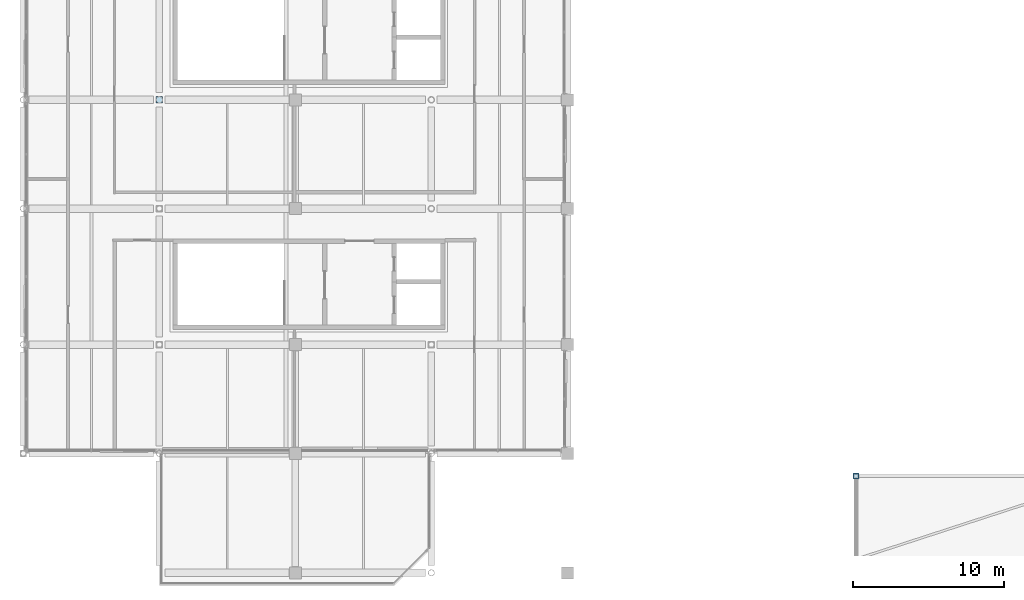
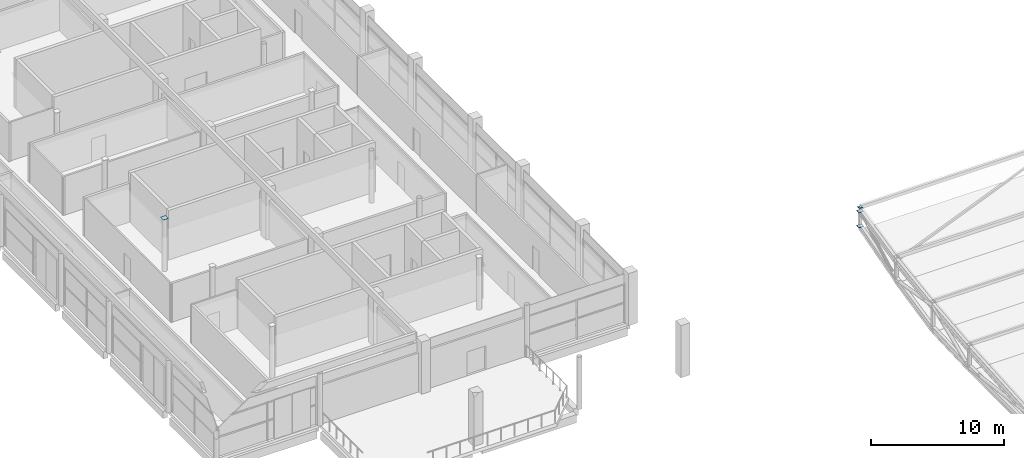
# One storey, part 93 of 114: 4 plates.
"""IFC4 building model written with IfcOpenShell, lengths in metres."""

import ifcopenshell
import ifcopenshell.guid

model = None  # the IFC model being written
_history = None  # IfcOwnerHistory: only IFC2X3 demands one
_inside = {}  # id of a spatial element -> (the spatial element, [elements in it])
_under = {}  # id of a project, library or spatial element -> (it, [spatial elements below it])
_declared = {}  # id of a project -> (the project, [libraries it declares])
_typed = {}  # id of a type object -> (the type object, [elements of that type])
_made_of = {}  # id of a material, layer set ... -> (it, [elements and type objects made of it])


def new_model(schema):
    """Start an empty IFC model of exactly this schema.

    Asked for "IFC4X3", IfcOpenShell would pick the latest addendum, in which some entities
    have other attributes; the version numbers below select the first issue.
    IFC2X3 requires an IfcOwnerHistory on every rooted entity: one is made here for all.
    """
    global model, _history
    if schema == "IFC4X3":
        model = ifcopenshell.file(schema_version=(4, 3, 0, 0))
    else:
        model = ifcopenshell.file(schema=schema)
    _inside.clear()
    _under.clear()
    _declared.clear()
    _typed.clear()
    _made_of.clear()
    _history = None
    if model.schema == "IFC2X3":
        org = make("IfcOrganization", Name="unknown")
        user = make(
            "IfcPersonAndOrganization",
            ThePerson=make("IfcPerson", FamilyName="unknown"),
            TheOrganization=org,
        )
        app = make(
            "IfcApplication",
            ApplicationDeveloper=org,
            Version="unknown",
            ApplicationFullName="unknown",
            ApplicationIdentifier="unknown",
        )
        _history = make(
            "IfcOwnerHistory",
            OwningUser=user,
            OwningApplication=app,
            ChangeAction="ADDED",
            CreationDate=0,
        )
    return model


def make(cls, **values):
    """One entity of the class cls with the attributes given. An attribute that is None is left unset."""
    return model.create_entity(
        cls, **{name: value for name, value in values.items() if value is not None}
    )


def rooted(cls, **values):
    """An entity with a GlobalId (a new one), such as an element, a storey or a relation."""
    return make(cls, GlobalId=ifcopenshell.guid.new(), OwnerHistory=_history, **values)


def si_unit(unit_type, name, prefix=None):
    """IfcSIUnit, for example si_unit("LENGTHUNIT", "METRE", prefix="MILLI")."""
    return make("IfcSIUnit", UnitType=unit_type, Prefix=prefix, Name=name)


def assignment(units):
    """IfcUnitAssignment: the units of a project."""
    return None if units is None else make("IfcUnitAssignment", Units=units)


def point(xyz):
    """IfcCartesianPoint."""
    return None if xyz is None else make("IfcCartesianPoint", Coordinates=xyz)


def direction(xyz):
    """IfcDirection."""
    return None if xyz is None else make("IfcDirection", DirectionRatios=xyz)


def frame(location, z_axis=None, x_axis=None):
    """IfcAxis2Placement3D, a coordinate frame: its origin and axes. An axis left out is left unset."""
    return make(
        "IfcAxis2Placement3D",
        Location=point(location),
        Axis=direction(z_axis),
        RefDirection=direction(x_axis),
    )


def frame_2d(location, x_axis=None):
    """IfcAxis2Placement2D, a coordinate frame in the plane: its origin and x axis."""
    return make(
        "IfcAxis2Placement2D", Location=point(location), RefDirection=direction(x_axis)
    )


def origin():
    """The frame at (0, 0, 0) with its axes left unset."""
    return frame((0.0, 0.0, 0.0))


def origin_2d():
    """The frame at (0, 0) in the plane with its x axis left unset."""
    return frame_2d((0.0, 0.0))


def place(relative_to, where):
    """IfcLocalPlacement: puts the frame where relative to a parent placement (None: the world)."""
    return make(
        "IfcLocalPlacement", PlacementRelTo=relative_to, RelativePlacement=where
    )


def context(
    kind, dimensions, precision=None, world=None, true_north=None, identifier=None
):
    """IfcGeometricRepresentationContext, for example the 3D "Model" context."""
    return make(
        "IfcGeometricRepresentationContext",
        ContextIdentifier=identifier,
        ContextType=kind,
        CoordinateSpaceDimension=dimensions,
        Precision=precision,
        WorldCoordinateSystem=world,
        TrueNorth=true_north,
    )


def subcontext(parent, identifier, kind, view, scale=None):
    """IfcGeometricRepresentationSubContext, for example "Body" below "Model"."""
    return make(
        "IfcGeometricRepresentationSubContext",
        ContextIdentifier=identifier,
        ContextType=kind,
        ParentContext=parent,
        TargetScale=scale,
        TargetView=view,
    )


def project(units=None, contexts=None):
    """IfcProject with its units and contexts."""
    return rooted(
        "IfcProject",
        Name="project",
        RepresentationContexts=contexts,
        UnitsInContext=assignment(units),
    )


def spatial(cls, under=None, at=None, **own):
    """A site, building, storey or space (cls), placed at a placement, below another one or the project."""
    s = rooted(cls, ObjectPlacement=at, **own)
    if under is not None:
        _under.setdefault(under.id(), (under, []))[1].append(s)
    return s


def profile(cls, at=None, kind="AREA", **sizes):
    """A parametric profile (cls). Its sizes go by their IFC names, for example OverallWidth=200.0."""
    return make(cls, ProfileType=kind, Position=at, **sizes)


def rectangle(**sizes):
    """IfcRectangleProfileDef."""
    return profile("IfcRectangleProfileDef", **sizes)


def extrude(swept, where, along, depth):
    """IfcExtrudedAreaSolid: the profile swept, set in the frame where, extruded along a direction by depth."""
    return make(
        "IfcExtrudedAreaSolid",
        SweptArea=swept,
        Position=where,
        ExtrudedDirection=direction(along),
        Depth=depth,
    )


def shape(context_of_items, identifier, shape_type, items):
    """IfcShapeRepresentation: the items that make up one representation, for example the "Body"."""
    return make(
        "IfcShapeRepresentation",
        ContextOfItems=context_of_items,
        RepresentationIdentifier=identifier,
        RepresentationType=shape_type,
        Items=items,
    )


def material(Name=None, Category=None):
    """IfcMaterial."""
    return make("IfcMaterial", Name=Name, Category=Category)


def layer(
    of_material, thickness, ventilated=None, Name=None, Category=None, Priority=None
):
    """IfcMaterialLayer: one layer of a wall or slab, of a material (None: an air gap)."""
    return make(
        "IfcMaterialLayer",
        Material=of_material,
        LayerThickness=thickness,
        IsVentilated=ventilated,
        Name=Name,
        Category=Category,
        Priority=Priority,
    )


def layer_set(layers, Name=None):
    """IfcMaterialLayerSet."""
    return make("IfcMaterialLayerSet", MaterialLayers=layers, LayerSetName=Name)


def made_of(thing, what):
    """Note that an element or type object is made of a material, layer set ...; save() writes the relation."""
    if what is not None:
        _made_of.setdefault(what.id(), (what, []))[1].append(thing)
    return thing


def type_object(cls, material=None, **own):
    """A type object (cls), such as IfcWallType, which elements share."""
    return made_of(rooted(cls, **own), material)


def element(
    cls,
    number,
    at=None,
    inside=None,
    cuts=None,
    type_object=None,
    material=None,
    context=None,
    identifier="Body",
    shape_type=None,
    held_by="IfcProductDefinitionShape",
    body=None,
    shapes=None,
    **own,
):
    """One element of the class cls, such as IfcWall. Its Tag is "e" and its number.

    at: its placement. inside: the storey or other place that contains it. cuts: it is an
    opening in that element (IfcRelVoidsElement). A single representation is given by context,
    identifier, shape_type and body (its items); several are given by shapes. held_by: the class
    of the entity that holds the representations. save() writes the other relations.
    """
    e = rooted(cls, Tag="e%d" % number, ObjectPlacement=at, **own)
    if body is not None:
        shapes = [shape(context, identifier, shape_type, body)]
    if shapes is not None:
        e.Representation = make(held_by, Representations=shapes)
    if inside is not None:
        _inside.setdefault(inside.id(), (inside, []))[1].append(e)
    if cuts is not None:
        rooted(
            "IfcRelVoidsElement", RelatingBuildingElement=cuts, RelatedOpeningElement=e
        )
    if type_object is not None:
        _typed.setdefault(type_object.id(), (type_object, []))[1].append(e)
    return made_of(e, material)


def aggregate(whole, parts):
    """IfcRelAggregates: a whole, such as a stair, and the parts it consists of."""
    return rooted("IfcRelAggregates", RelatingObject=whole, RelatedObjects=parts)


def save(model, path):
    """Write the relations noted so far, then the file.

    IfcRelAggregates (storeys below a building ...), IfcRelContainedInSpatialStructure (elements
    in a storey), IfcRelDefinesByType, IfcRelAssociatesMaterial and IfcRelDeclares: one each for
    every whole, place, type object, material and project.
    """
    for whole, parts in _under.values():
        aggregate(whole, parts)
    for where, things in _inside.values():
        rooted(
            "IfcRelContainedInSpatialStructure",
            RelatedElements=things,
            RelatingStructure=where,
        )
    for kind, things in _typed.values():
        rooted("IfcRelDefinesByType", RelatedObjects=things, RelatingType=kind)
    for what, things in _made_of.values():
        rooted("IfcRelAssociatesMaterial", RelatedObjects=things, RelatingMaterial=what)
    for by, libraries in _declared.values():
        rooted("IfcRelDeclares", RelatingContext=by, RelatedDefinitions=libraries)
    model.write(path)


model = new_model("IFC4")

# Units and contexts
model_context = context("Model", 3, precision=1e-05, world=origin(), true_north=direction((0.0, 1.0)))
body_context = subcontext(model_context, "Body", "Model", "MODEL_VIEW")
ifc_project = project(units=[si_unit("LENGTHUNIT", "METRE"), si_unit("AREAUNIT", "SQUARE_METRE"), si_unit("VOLUMEUNIT", "CUBIC_METRE"), si_unit("PLANEANGLEUNIT", "RADIAN"), si_unit("MASSUNIT", "GRAM", prefix="KILO"), si_unit("THERMODYNAMICTEMPERATUREUNIT", "KELVIN"), si_unit("POWERUNIT", "WATT")], contexts=[model_context])

# Site, building, storey
site_placement = place(None, origin())
site = spatial("IfcSite", under=ifc_project, at=site_placement, CompositionType="ELEMENT")
building_placement = place(site_placement, origin())
building = spatial("IfcBuilding", under=site, at=building_placement, Name="Sindhuravela Promenade Stadium", CompositionType="ELEMENT")
storey_placement = place(building_placement, frame((0.0, 0.0, 24.0)))
storey = spatial("IfcBuildingStorey", under=building, at=storey_placement, Name="L05", CompositionType="ELEMENT", Elevation=24.0)

# Plates
ifc_material = material(Name="Steel E350 (IS 2062 E350BR)", Category="steel")
ifc_layer_1 = layer(ifc_material, 0.02392578125)
ifc_layer_set_1 = layer_set([ifc_layer_1], Name="Steel E350 (IS 2062 E350BR)")
plate_type_1 = type_object("IfcPlateType", Name="ST-PL-CAP24", PredefinedType="USERDEFINED", material=ifc_layer_set_1)
plate_1_placement = place(storey_placement, frame((9.0, 68.39990234375, 4.800048828125), z_axis=(0.0, 0.0, 1.0), x_axis=(1.0, 0.0, 0.0)))
element("IfcPlate", 1, at=plate_1_placement, inside=storey, type_object=plate_type_1, Name="Hollow column top cap plate CP01 W-05", ObjectType="GUSSET PLATE", PredefinedType="USERDEFINED", context=body_context, shape_type="SweptSolid", body=[
    extrude(rectangle(XDim=0.43994140625, YDim=0.43994140625, at=origin_2d()), origin(), (0.0, 0.0, 1.0), 0.02392578125),
])
plate_2_placement = place(storey_placement, frame((55.10009765625, 43.5, 4.755126953125), z_axis=(0.0, 0.0, 1.0), x_axis=(1.0, 0.0, 0.0)))
element("IfcPlate", 2, at=plate_2_placement, inside=storey, type_object=plate_type_1, Name="Purlin end cap plate CP01 S-42", ObjectType="GUSSET PLATE", PredefinedType="USERDEFINED", context=body_context, shape_type="SweptSolid", body=[
    extrude(rectangle(XDim=0.280029296875, YDim=0.280029296875, at=origin_2d()), origin(), (0.0, 0.0, 1.0), 0.02392578125),
])
ifc_layer_2 = layer(ifc_material, 0.033935546875)
ifc_layer_set_2 = layer_set([ifc_layer_2], Name="Steel E350 (IS 2062 E350BR)")
plate_type_2 = type_object("IfcPlateType", Name="ST-PL-CAP34", PredefinedType="USERDEFINED", material=ifc_layer_set_2)
for number, where, z_axis, x_axis, name in (
    (3, (55.10009765625, 43.5, 4.3828125), (0.0, 0.0, 1.0), (1.0, 0.0, 0.0), "Truss end gusset cap plate CP02 S01-6T"),
    (4, (55.10009765625, 43.5, 3.0078125), (0.0, 0.0, 1.0), (1.0, 0.0, 0.0), "Truss end gusset cap plate CP02 S01-6B"),
):
    element("IfcPlate", number, at=place(storey_placement, frame(where, z_axis=z_axis, x_axis=x_axis)), inside=storey, type_object=plate_type_2, Name=name, ObjectType="GUSSET PLATE", PredefinedType="USERDEFINED", context=body_context, shape_type="SweptSolid", body=[
        extrude(rectangle(XDim=0.3798828125, YDim=0.3798828125, at=origin_2d()), origin(), (0.0, 0.0, 1.0), 0.033935546875),
    ])

save(model, "model.ifc")
